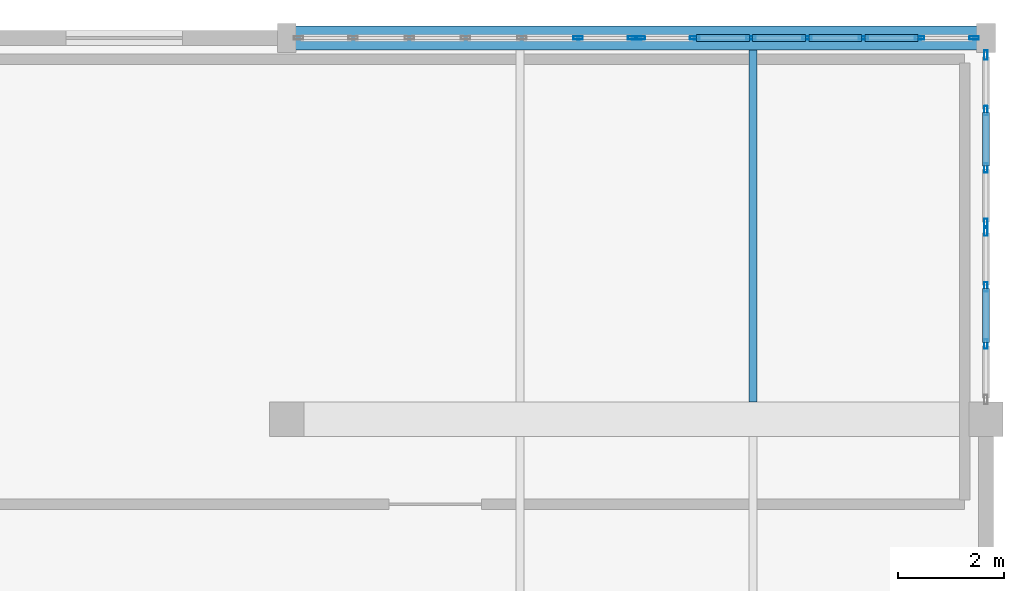
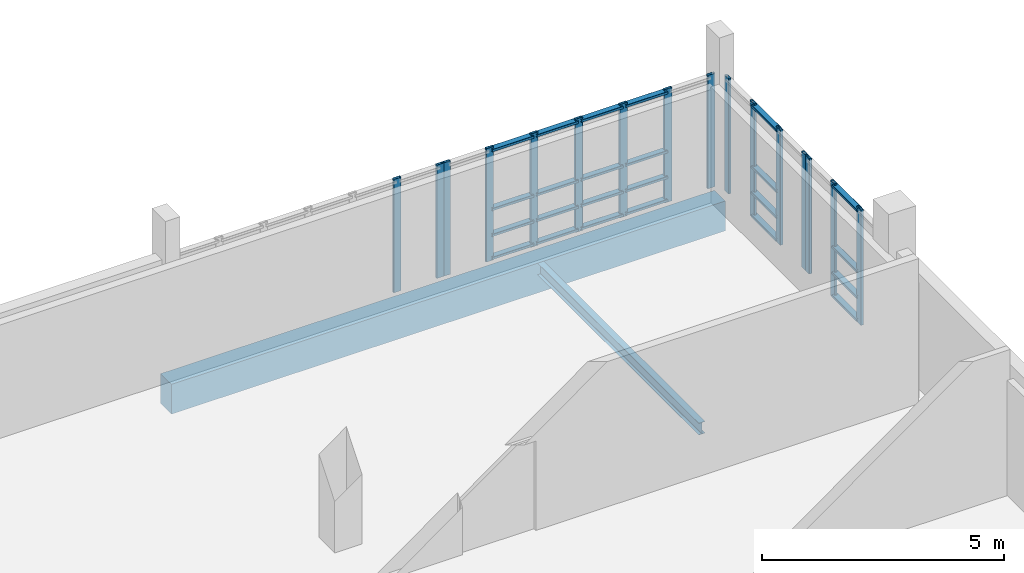
# One storey, part 13 of 25: 40 members, 2 beams, 4 elements without a shape of their own.
"""IFC4 building model written with IfcOpenShell, lengths in metres."""

import ifcopenshell
import ifcopenshell.guid

model = None  # the IFC model being written
_history = None  # IfcOwnerHistory: only IFC2X3 demands one
_inside = {}  # id of a spatial element -> (the spatial element, [elements in it])
_under = {}  # id of a project, library or spatial element -> (it, [spatial elements below it])
_declared = {}  # id of a project -> (the project, [libraries it declares])
_typed = {}  # id of a type object -> (the type object, [elements of that type])
_made_of = {}  # id of a material, layer set ... -> (it, [elements and type objects made of it])


def new_model(schema):
    """Start an empty IFC model of exactly this schema.

    Asked for "IFC4X3", IfcOpenShell would pick the latest addendum, in which some entities
    have other attributes; the version numbers below select the first issue.
    IFC2X3 requires an IfcOwnerHistory on every rooted entity: one is made here for all.
    """
    global model, _history
    if schema == "IFC4X3":
        model = ifcopenshell.file(schema_version=(4, 3, 0, 0))
    else:
        model = ifcopenshell.file(schema=schema)
    _inside.clear()
    _under.clear()
    _declared.clear()
    _typed.clear()
    _made_of.clear()
    _history = None
    if model.schema == "IFC2X3":
        org = make("IfcOrganization", Name="unknown")
        user = make(
            "IfcPersonAndOrganization",
            ThePerson=make("IfcPerson", FamilyName="unknown"),
            TheOrganization=org,
        )
        app = make(
            "IfcApplication",
            ApplicationDeveloper=org,
            Version="unknown",
            ApplicationFullName="unknown",
            ApplicationIdentifier="unknown",
        )
        _history = make(
            "IfcOwnerHistory",
            OwningUser=user,
            OwningApplication=app,
            ChangeAction="ADDED",
            CreationDate=0,
        )
    return model


def make(cls, **values):
    """One entity of the class cls with the attributes given. An attribute that is None is left unset."""
    return model.create_entity(
        cls, **{name: value for name, value in values.items() if value is not None}
    )


def rooted(cls, **values):
    """An entity with a GlobalId (a new one), such as an element, a storey or a relation."""
    return make(cls, GlobalId=ifcopenshell.guid.new(), OwnerHistory=_history, **values)


def si_unit(unit_type, name, prefix=None):
    """IfcSIUnit, for example si_unit("LENGTHUNIT", "METRE", prefix="MILLI")."""
    return make("IfcSIUnit", UnitType=unit_type, Prefix=prefix, Name=name)


def assignment(units):
    """IfcUnitAssignment: the units of a project."""
    return None if units is None else make("IfcUnitAssignment", Units=units)


def point(xyz):
    """IfcCartesianPoint."""
    return None if xyz is None else make("IfcCartesianPoint", Coordinates=xyz)


def direction(xyz):
    """IfcDirection."""
    return None if xyz is None else make("IfcDirection", DirectionRatios=xyz)


def frame(location, z_axis=None, x_axis=None):
    """IfcAxis2Placement3D, a coordinate frame: its origin and axes. An axis left out is left unset."""
    return make(
        "IfcAxis2Placement3D",
        Location=point(location),
        Axis=direction(z_axis),
        RefDirection=direction(x_axis),
    )


def frame_2d(location, x_axis=None):
    """IfcAxis2Placement2D, a coordinate frame in the plane: its origin and x axis."""
    return make(
        "IfcAxis2Placement2D", Location=point(location), RefDirection=direction(x_axis)
    )


def origin():
    """The frame at (0, 0, 0) with its axes left unset."""
    return frame((0.0, 0.0, 0.0))


def origin_2d():
    """The frame at (0, 0) in the plane with its x axis left unset."""
    return frame_2d((0.0, 0.0))


def place(relative_to, where):
    """IfcLocalPlacement: puts the frame where relative to a parent placement (None: the world)."""
    return make(
        "IfcLocalPlacement", PlacementRelTo=relative_to, RelativePlacement=where
    )


def context(
    kind, dimensions, precision=None, world=None, true_north=None, identifier=None
):
    """IfcGeometricRepresentationContext, for example the 3D "Model" context."""
    return make(
        "IfcGeometricRepresentationContext",
        ContextIdentifier=identifier,
        ContextType=kind,
        CoordinateSpaceDimension=dimensions,
        Precision=precision,
        WorldCoordinateSystem=world,
        TrueNorth=true_north,
    )


def subcontext(parent, identifier, kind, view, scale=None):
    """IfcGeometricRepresentationSubContext, for example "Body" below "Model"."""
    return make(
        "IfcGeometricRepresentationSubContext",
        ContextIdentifier=identifier,
        ContextType=kind,
        ParentContext=parent,
        TargetScale=scale,
        TargetView=view,
    )


def project(units=None, contexts=None):
    """IfcProject with its units and contexts."""
    return rooted(
        "IfcProject",
        Name="project",
        RepresentationContexts=contexts,
        UnitsInContext=assignment(units),
    )


def spatial(cls, under=None, at=None, **own):
    """A site, building, storey or space (cls), placed at a placement, below another one or the project."""
    s = rooted(cls, ObjectPlacement=at, **own)
    if under is not None:
        _under.setdefault(under.id(), (under, []))[1].append(s)
    return s


def profile(cls, at=None, kind="AREA", **sizes):
    """A parametric profile (cls). Its sizes go by their IFC names, for example OverallWidth=200.0."""
    return make(cls, ProfileType=kind, Position=at, **sizes)


def rectangle(**sizes):
    """IfcRectangleProfileDef."""
    return profile("IfcRectangleProfileDef", **sizes)


def hollow_rectangle(**sizes):
    """IfcRectangleHollowProfileDef."""
    return profile("IfcRectangleHollowProfileDef", **sizes)


def i_section(**sizes):
    """IfcIShapeProfileDef."""
    return profile("IfcIShapeProfileDef", **sizes)


def extrude(swept, where, along, depth):
    """IfcExtrudedAreaSolid: the profile swept, set in the frame where, extruded along a direction by depth."""
    return make(
        "IfcExtrudedAreaSolid",
        SweptArea=swept,
        Position=where,
        ExtrudedDirection=direction(along),
        Depth=depth,
    )


def shape(context_of_items, identifier, shape_type, items):
    """IfcShapeRepresentation: the items that make up one representation, for example the "Body"."""
    return make(
        "IfcShapeRepresentation",
        ContextOfItems=context_of_items,
        RepresentationIdentifier=identifier,
        RepresentationType=shape_type,
        Items=items,
    )


def material(Name=None, Category=None):
    """IfcMaterial."""
    return make("IfcMaterial", Name=Name, Category=Category)


def layer(
    of_material, thickness, ventilated=None, Name=None, Category=None, Priority=None
):
    """IfcMaterialLayer: one layer of a wall or slab, of a material (None: an air gap)."""
    return make(
        "IfcMaterialLayer",
        Material=of_material,
        LayerThickness=thickness,
        IsVentilated=ventilated,
        Name=Name,
        Category=Category,
        Priority=Priority,
    )


def layer_set(layers, Name=None):
    """IfcMaterialLayerSet."""
    return make("IfcMaterialLayerSet", MaterialLayers=layers, LayerSetName=Name)


def material_profile(
    of_material, cross_section, Name=None, Category=None, Priority=None
):
    """IfcMaterialProfile: a cross section and its material."""
    return make(
        "IfcMaterialProfile",
        Name=Name,
        Material=of_material,
        Profile=cross_section,
        Priority=Priority,
        Category=Category,
    )


def profile_set(profiles, Name=None, composite=None):
    """IfcMaterialProfileSet."""
    return make(
        "IfcMaterialProfileSet",
        Name=Name,
        MaterialProfiles=profiles,
        CompositeProfile=composite,
    )


def made_of(thing, what):
    """Note that an element or type object is made of a material, layer set ...; save() writes the relation."""
    if what is not None:
        _made_of.setdefault(what.id(), (what, []))[1].append(thing)
    return thing


def type_object(cls, material=None, **own):
    """A type object (cls), such as IfcWallType, which elements share."""
    return made_of(rooted(cls, **own), material)


def element(
    cls,
    number,
    at=None,
    inside=None,
    cuts=None,
    type_object=None,
    material=None,
    context=None,
    identifier="Body",
    shape_type=None,
    held_by="IfcProductDefinitionShape",
    body=None,
    shapes=None,
    **own,
):
    """One element of the class cls, such as IfcWall. Its Tag is "e" and its number.

    at: its placement. inside: the storey or other place that contains it. cuts: it is an
    opening in that element (IfcRelVoidsElement). A single representation is given by context,
    identifier, shape_type and body (its items); several are given by shapes. held_by: the class
    of the entity that holds the representations. save() writes the other relations.
    """
    e = rooted(cls, Tag="e%d" % number, ObjectPlacement=at, **own)
    if body is not None:
        shapes = [shape(context, identifier, shape_type, body)]
    if shapes is not None:
        e.Representation = make(held_by, Representations=shapes)
    if inside is not None:
        _inside.setdefault(inside.id(), (inside, []))[1].append(e)
    if cuts is not None:
        rooted(
            "IfcRelVoidsElement", RelatingBuildingElement=cuts, RelatedOpeningElement=e
        )
    if type_object is not None:
        _typed.setdefault(type_object.id(), (type_object, []))[1].append(e)
    return made_of(e, material)


def aggregate(whole, parts):
    """IfcRelAggregates: a whole, such as a stair, and the parts it consists of."""
    return rooted("IfcRelAggregates", RelatingObject=whole, RelatedObjects=parts)


def save(model, path):
    """Write the relations noted so far, then the file.

    IfcRelAggregates (storeys below a building ...), IfcRelContainedInSpatialStructure (elements
    in a storey), IfcRelDefinesByType, IfcRelAssociatesMaterial and IfcRelDeclares: one each for
    every whole, place, type object, material and project.
    """
    for whole, parts in _under.values():
        aggregate(whole, parts)
    for where, things in _inside.values():
        rooted(
            "IfcRelContainedInSpatialStructure",
            RelatedElements=things,
            RelatingStructure=where,
        )
    for kind, things in _typed.values():
        rooted("IfcRelDefinesByType", RelatedObjects=things, RelatingType=kind)
    for what, things in _made_of.values():
        rooted("IfcRelAssociatesMaterial", RelatedObjects=things, RelatingMaterial=what)
    for by, libraries in _declared.values():
        rooted("IfcRelDeclares", RelatingContext=by, RelatedDefinitions=libraries)
    model.write(path)


model = new_model("IFC4")

# Units and contexts
model_context = context("Model", 3, precision=1e-05, world=origin(), true_north=direction((0.0, 1.0)))
body_context = subcontext(model_context, "Body", "Model", "MODEL_VIEW")
ifc_project = project(units=[si_unit("LENGTHUNIT", "METRE"), si_unit("AREAUNIT", "SQUARE_METRE"), si_unit("VOLUMEUNIT", "CUBIC_METRE"), si_unit("PLANEANGLEUNIT", "RADIAN"), si_unit("MASSUNIT", "GRAM", prefix="KILO")], contexts=[model_context])

# Site, building, storey
site_placement = place(None, origin())
site = spatial("IfcSite", under=ifc_project, at=site_placement, CompositionType="ELEMENT")
building_placement = place(site_placement, origin())
building = spatial("IfcBuilding", under=site, at=building_placement, Name="Kisaragi Civic Commons", CompositionType="ELEMENT")
storey_placement = place(building_placement, frame((0.0, 0.0, 13.5)))
storey = spatial("IfcBuildingStorey", under=building, at=storey_placement, Name="L03", CompositionType="ELEMENT", Elevation=13.5)

# Curtain wall, members
ifc_material_1 = material(Name="Thermally broken anodized aluminium and low-E double glazing", Category="aluminium")
ifc_layer = layer(ifc_material_1, 0.179931640625, Name="Thermally broken anodized aluminium and low-E double glazing", Category="aluminium")
ifc_layer_set = layer_set([ifc_layer], Name="Thermally broken anodized aluminium and low-E double glazing")
curtain_wall_type = type_object("IfcCurtainWallType", Name="CW-01", PredefinedType="NOTDEFINED", material=ifc_layer_set)
curtain_wall_1_placement = place(storey_placement, origin())
curtain_wall_1 = element("IfcCurtainWall", 1, at=curtain_wall_1_placement, inside=storey, type_object=curtain_wall_type, Name="L03 curtain wall CW-01 CW-V4-L03-101", PredefinedType="NOTDEFINED")
ifc_material_profile_1 = material_profile(ifc_material_1, hollow_rectangle(XDim=0.06494140625, YDim=0.179931640625, WallThickness=0.00439453125, InnerFilletRadius=0.00439453125, OuterFilletRadius=0.009033203125, at=origin_2d()), Name="CWM-65x180x4.5", Category="aluminium")
ifc_profile_set_1 = profile_set([ifc_material_profile_1], Name="Thermally broken anodized aluminium and low-E double glazing")
member_type_1 = type_object("IfcMemberType", Name="CWM-02", PredefinedType="MULLION", material=ifc_profile_set_1)
member_1_placement = place(storey_placement, frame((138.6982421875, 118.800048828125, 0.0), z_axis=(0.0, 0.0, 1.0), x_axis=(0.0, 1.0, 0.0)))
member_1 = element("IfcMember", 2, at=member_1_placement, type_object=member_type_1, Name="CW-01 mullion 6", PredefinedType="MULLION", context=body_context, shape_type="SweptSolid", body=[
    extrude(hollow_rectangle(XDim=0.06494140625, YDim=0.179931640625, WallThickness=0.00439453125, InnerFilletRadius=0.00439453125, OuterFilletRadius=0.009033203125, at=origin_2d()), origin(), (0.0, 0.0, 1.0), 2.85498046875),
])
member_2_placement = place(storey_placement, frame((139.7275390625, 118.800048828125, 0.0), z_axis=(0.0, 0.0, 1.0), x_axis=(0.0, 1.0, 0.0)))
member_2 = element("IfcMember", 3, at=member_2_placement, type_object=member_type_1, Name="CW-01 mullion 7", PredefinedType="MULLION", context=body_context, shape_type="SweptSolid", body=[
    extrude(hollow_rectangle(XDim=0.06494140625, YDim=0.179931640625, WallThickness=0.00439453125, InnerFilletRadius=0.00439453125, OuterFilletRadius=0.009033203125, at=origin_2d()), origin(), (0.0, 0.0, 1.0), 2.85498046875),
])
aggregate(curtain_wall_1, [member_1, member_2])

curtain_wall_2_placement = place(storey_placement, origin())
curtain_wall_2 = element("IfcCurtainWall", 4, at=curtain_wall_2_placement, inside=storey, type_object=curtain_wall_type, Name="L03 curtain wall CW-01 CW-V4-L03-102", PredefinedType="NOTDEFINED")
member_3_placement = place(storey_placement, frame((139.87255859375, 118.800048828125, 0.0), z_axis=(0.0, 0.0, 1.0), x_axis=(0.0, 1.0, 0.0)))
member_3 = element("IfcMember", 5, at=member_3_placement, type_object=member_type_1, Name="CW-01 mullion 1", PredefinedType="MULLION", context=body_context, shape_type="SweptSolid", body=[
    extrude(hollow_rectangle(XDim=0.06494140625, YDim=0.179931640625, WallThickness=0.00439453125, InnerFilletRadius=0.00439453125, OuterFilletRadius=0.009033203125, at=origin_2d()), origin(), (0.0, 0.0, 1.0), 2.85498046875),
])
member_4_placement = place(storey_placement, frame((140.901611328125, 118.800048828125, 0.0), z_axis=(0.0, 0.0, 1.0), x_axis=(0.0, 1.0, 0.0)))
member_4 = element("IfcMember", 6, at=member_4_placement, type_object=member_type_1, Name="CW-01 mullion 2", PredefinedType="MULLION", context=body_context, shape_type="SweptSolid", body=[
    extrude(hollow_rectangle(XDim=0.06494140625, YDim=0.179931640625, WallThickness=0.00439453125, InnerFilletRadius=0.00439453125, OuterFilletRadius=0.009033203125, at=origin_2d()), origin(), (0.0, 0.0, 1.0), 2.85498046875),
])
member_5_placement = place(storey_placement, frame((141.96337890625, 118.800048828125, 0.0), z_axis=(0.0, 0.0, 1.0), x_axis=(0.0, 1.0, 0.0)))
member_5 = element("IfcMember", 7, at=member_5_placement, type_object=member_type_1, Name="CW-01 mullion 3", PredefinedType="MULLION", context=body_context, shape_type="SweptSolid", body=[
    extrude(hollow_rectangle(XDim=0.06494140625, YDim=0.179931640625, WallThickness=0.00439453125, InnerFilletRadius=0.00439453125, OuterFilletRadius=0.009033203125, at=origin_2d()), origin(), (0.0, 0.0, 1.0), 2.85498046875),
])
member_6_placement = place(storey_placement, frame((143.02490234375, 118.800048828125, 0.0), z_axis=(0.0, 0.0, 1.0), x_axis=(0.0, 1.0, 0.0)))
member_6 = element("IfcMember", 8, at=member_6_placement, type_object=member_type_1, Name="CW-01 mullion 4", PredefinedType="MULLION", context=body_context, shape_type="SweptSolid", body=[
    extrude(hollow_rectangle(XDim=0.06494140625, YDim=0.179931640625, WallThickness=0.00439453125, InnerFilletRadius=0.00439453125, OuterFilletRadius=0.009033203125, at=origin_2d()), origin(), (0.0, 0.0, 1.0), 2.85498046875),
])
member_7_placement = place(storey_placement, frame((144.086669921875, 118.800048828125, 0.0), z_axis=(0.0, 0.0, 1.0), x_axis=(0.0, 1.0, 0.0)))
member_7 = element("IfcMember", 9, at=member_7_placement, type_object=member_type_1, Name="CW-01 mullion 5", PredefinedType="MULLION", context=body_context, shape_type="SweptSolid", body=[
    extrude(hollow_rectangle(XDim=0.06494140625, YDim=0.179931640625, WallThickness=0.00439453125, InnerFilletRadius=0.00439453125, OuterFilletRadius=0.009033203125, at=origin_2d()), origin(), (0.0, 0.0, 1.0), 2.85498046875),
])
member_8_placement = place(storey_placement, frame((145.1484375, 118.800048828125, 0.0), z_axis=(0.0, 0.0, 1.0), x_axis=(0.0, 1.0, 0.0)))
member_8 = element("IfcMember", 10, at=member_8_placement, type_object=member_type_1, Name="CW-01 mullion 6", PredefinedType="MULLION", context=body_context, shape_type="SweptSolid", body=[
    extrude(hollow_rectangle(XDim=0.06494140625, YDim=0.179931640625, WallThickness=0.00439453125, InnerFilletRadius=0.00439453125, OuterFilletRadius=0.009033203125, at=origin_2d()), origin(), (0.0, 0.0, 1.0), 2.85498046875),
])
member_9_placement = place(storey_placement, frame((146.177490234375, 118.800048828125, 0.0), z_axis=(0.0, 0.0, 1.0), x_axis=(0.0, 1.0, 0.0)))
member_9 = element("IfcMember", 11, at=member_9_placement, type_object=member_type_1, Name="CW-01 mullion 7", PredefinedType="MULLION", context=body_context, shape_type="SweptSolid", body=[
    extrude(hollow_rectangle(XDim=0.06494140625, YDim=0.179931640625, WallThickness=0.00439453125, InnerFilletRadius=0.00439453125, OuterFilletRadius=0.009033203125, at=origin_2d()), origin(), (0.0, 0.0, 1.0), 2.85498046875),
])

curtain_wall_3_placement = place(storey_placement, origin())
curtain_wall_3 = element("IfcCurtainWall", 12, at=curtain_wall_3_placement, inside=storey, type_object=curtain_wall_type, Name="L03 curtain wall CW-01 CW-V4-L03-103", PredefinedType="NOTDEFINED")
member_10_placement = place(storey_placement, frame((146.39990234375, 118.4775390625, 0.0), z_axis=(0.0, 0.0, 1.0), x_axis=(1.0, 0.0, 0.0)))
member_10 = element("IfcMember", 13, at=member_10_placement, type_object=member_type_1, Name="CW-01 mullion 1", PredefinedType="MULLION", context=body_context, shape_type="SweptSolid", body=[
    extrude(hollow_rectangle(XDim=0.06494140625, YDim=0.179931640625, WallThickness=0.00439453125, InnerFilletRadius=0.00439453125, OuterFilletRadius=0.009033203125, at=origin_2d()), origin(), (0.0, 0.0, 1.0), 2.905029296875),
])
member_11_placement = place(storey_placement, frame((146.39990234375, 117.42822265625, 0.0), z_axis=(0.0, 0.0, 1.0), x_axis=(1.0, 0.0, 0.0)))
member_11 = element("IfcMember", 14, at=member_11_placement, type_object=member_type_1, Name="CW-01 mullion 2", PredefinedType="MULLION", context=body_context, shape_type="SweptSolid", body=[
    extrude(hollow_rectangle(XDim=0.06494140625, YDim=0.179931640625, WallThickness=0.00439453125, InnerFilletRadius=0.00439453125, OuterFilletRadius=0.009033203125, at=origin_2d()), origin(), (0.0, 0.0, 1.0), 2.905029296875),
])
member_12_placement = place(storey_placement, frame((146.39990234375, 116.3466796875, 0.0), z_axis=(0.0, 0.0, 1.0), x_axis=(1.0, 0.0, 0.0)))
member_12 = element("IfcMember", 15, at=member_12_placement, type_object=member_type_1, Name="CW-01 mullion 3", PredefinedType="MULLION", context=body_context, shape_type="SweptSolid", body=[
    extrude(hollow_rectangle(XDim=0.06494140625, YDim=0.179931640625, WallThickness=0.00439453125, InnerFilletRadius=0.00439453125, OuterFilletRadius=0.009033203125, at=origin_2d()), origin(), (0.0, 0.0, 1.0), 2.905029296875),
])
member_13_placement = place(storey_placement, frame((146.39990234375, 115.297607421875, 0.0), z_axis=(0.0, 0.0, 1.0), x_axis=(1.0, 0.0, 0.0)))
member_13 = element("IfcMember", 16, at=member_13_placement, type_object=member_type_1, Name="CW-01 mullion 4", PredefinedType="MULLION", context=body_context, shape_type="SweptSolid", body=[
    extrude(hollow_rectangle(XDim=0.06494140625, YDim=0.179931640625, WallThickness=0.00439453125, InnerFilletRadius=0.00439453125, OuterFilletRadius=0.009033203125, at=origin_2d()), origin(), (0.0, 0.0, 1.0), 2.905029296875),
])

curtain_wall_4_placement = place(storey_placement, origin())
curtain_wall_4 = element("IfcCurtainWall", 17, at=curtain_wall_4_placement, inside=storey, type_object=curtain_wall_type, Name="L03 curtain wall CW-01 CW-V4-L03-104", PredefinedType="NOTDEFINED")
member_14_placement = place(storey_placement, frame((146.39990234375, 115.152587890625, 0.0), z_axis=(0.0, 0.0, 1.0), x_axis=(1.0, 0.0, 0.0)))
member_14 = element("IfcMember", 18, at=member_14_placement, type_object=member_type_1, Name="CW-01 mullion 1", PredefinedType="MULLION", context=body_context, shape_type="SweptSolid", body=[
    extrude(hollow_rectangle(XDim=0.06494140625, YDim=0.179931640625, WallThickness=0.00439453125, InnerFilletRadius=0.00439453125, OuterFilletRadius=0.009033203125, at=origin_2d()), origin(), (0.0, 0.0, 1.0), 2.905029296875),
])
member_15_placement = place(storey_placement, frame((146.39990234375, 114.103271484375, 0.0), z_axis=(0.0, 0.0, 1.0), x_axis=(1.0, 0.0, 0.0)))
member_15 = element("IfcMember", 19, at=member_15_placement, type_object=member_type_1, Name="CW-01 mullion 2", PredefinedType="MULLION", context=body_context, shape_type="SweptSolid", body=[
    extrude(hollow_rectangle(XDim=0.06494140625, YDim=0.179931640625, WallThickness=0.00439453125, InnerFilletRadius=0.00439453125, OuterFilletRadius=0.009033203125, at=origin_2d()), origin(), (0.0, 0.0, 1.0), 2.905029296875),
])
member_16_placement = place(storey_placement, frame((146.39990234375, 113.021728515625, 0.0), z_axis=(0.0, 0.0, 1.0), x_axis=(1.0, 0.0, 0.0)))
member_16 = element("IfcMember", 20, at=member_16_placement, type_object=member_type_1, Name="CW-01 mullion 3", PredefinedType="MULLION", context=body_context, shape_type="SweptSolid", body=[
    extrude(hollow_rectangle(XDim=0.06494140625, YDim=0.179931640625, WallThickness=0.00439453125, InnerFilletRadius=0.00439453125, OuterFilletRadius=0.009033203125, at=origin_2d()), origin(), (0.0, 0.0, 1.0), 2.905029296875),
])

# Member
ifc_material_profile_2 = material_profile(ifc_material_1, hollow_rectangle(XDim=0.139892578125, YDim=0.06494140625, WallThickness=0.00439453125, InnerFilletRadius=0.00439453125, OuterFilletRadius=0.009033203125, at=origin_2d()), Name="CWT-65x140x4.5", Category="aluminium")
ifc_profile_set_2 = profile_set([ifc_material_profile_2], Name="Thermally broken anodized aluminium and low-E double glazing")
member_type_2 = type_object("IfcMemberType", Name="CWT-02", PredefinedType="USERDEFINED", material=ifc_profile_set_2)
member_17_placement = place(storey_placement, frame((140.93408203125, 118.800048828125, 0.070068359375), z_axis=(1.0, 0.0, 0.0), x_axis=(0.0, 1.0, 0.0)))
member_17 = element("IfcMember", 21, at=member_17_placement, type_object=member_type_2, Name="CW-01 transom 2.1", ObjectType="TRANSOM", PredefinedType="USERDEFINED", context=body_context, shape_type="SweptSolid", body=[
    extrude(hollow_rectangle(XDim=0.139892578125, YDim=0.06494140625, WallThickness=0.00439453125, InnerFilletRadius=0.00439453125, OuterFilletRadius=0.009033203125, at=origin_2d()), origin(), (0.0, 0.0, 1.0), 0.996826171875),
])

member_18_placement = place(storey_placement, frame((140.93408203125, 118.800048828125, 0.64990234375), z_axis=(1.0, 0.0, 0.0), x_axis=(0.0, 1.0, 0.0)))
member_18 = element("IfcMember", 22, at=member_18_placement, type_object=member_type_2, Name="CW-01 transom 2.2", ObjectType="TRANSOM", PredefinedType="USERDEFINED", context=body_context, shape_type="SweptSolid", body=[
    extrude(hollow_rectangle(XDim=0.139892578125, YDim=0.06494140625, WallThickness=0.00439453125, InnerFilletRadius=0.00439453125, OuterFilletRadius=0.009033203125, at=origin_2d()), origin(), (0.0, 0.0, 1.0), 0.996826171875),
])

member_19_placement = place(storey_placement, frame((140.93408203125, 118.800048828125, 1.300048828125), z_axis=(1.0, 0.0, 0.0), x_axis=(0.0, 1.0, 0.0)))
member_19 = element("IfcMember", 23, at=member_19_placement, type_object=member_type_2, Name="CW-01 transom 2.3", ObjectType="TRANSOM", PredefinedType="USERDEFINED", context=body_context, shape_type="SweptSolid", body=[
    extrude(hollow_rectangle(XDim=0.139892578125, YDim=0.06494140625, WallThickness=0.00439453125, InnerFilletRadius=0.00439453125, OuterFilletRadius=0.009033203125, at=origin_2d()), origin(), (0.0, 0.0, 1.0), 0.996826171875),
])

member_20_placement = place(storey_placement, frame((140.93408203125, 118.800048828125, 2.784912109375), z_axis=(1.0, 0.0, 0.0), x_axis=(0.0, 1.0, 0.0)))
member_20 = element("IfcMember", 24, at=member_20_placement, type_object=member_type_2, Name="CW-01 transom 2.4", ObjectType="TRANSOM", PredefinedType="USERDEFINED", context=body_context, shape_type="SweptSolid", body=[
    extrude(hollow_rectangle(XDim=0.139892578125, YDim=0.06494140625, WallThickness=0.00439453125, InnerFilletRadius=0.00439453125, OuterFilletRadius=0.009033203125, at=origin_2d()), origin(), (0.0, 0.0, 1.0), 0.996826171875),
])

member_21_placement = place(storey_placement, frame((141.995849609375, 118.800048828125, 0.070068359375), z_axis=(1.0, 0.0, 0.0), x_axis=(0.0, 1.0, 0.0)))
member_21 = element("IfcMember", 25, at=member_21_placement, type_object=member_type_2, Name="CW-01 transom 3.1", ObjectType="TRANSOM", PredefinedType="USERDEFINED", context=body_context, shape_type="SweptSolid", body=[
    extrude(hollow_rectangle(XDim=0.139892578125, YDim=0.06494140625, WallThickness=0.00439453125, InnerFilletRadius=0.00439453125, OuterFilletRadius=0.009033203125, at=origin_2d()), origin(), (0.0, 0.0, 1.0), 0.99658203125),
])

member_22_placement = place(storey_placement, frame((141.995849609375, 118.800048828125, 0.64990234375), z_axis=(1.0, 0.0, 0.0), x_axis=(0.0, 1.0, 0.0)))
member_22 = element("IfcMember", 26, at=member_22_placement, type_object=member_type_2, Name="CW-01 transom 3.2", ObjectType="TRANSOM", PredefinedType="USERDEFINED", context=body_context, shape_type="SweptSolid", body=[
    extrude(hollow_rectangle(XDim=0.139892578125, YDim=0.06494140625, WallThickness=0.00439453125, InnerFilletRadius=0.00439453125, OuterFilletRadius=0.009033203125, at=origin_2d()), origin(), (0.0, 0.0, 1.0), 0.99658203125),
])

member_23_placement = place(storey_placement, frame((141.995849609375, 118.800048828125, 1.300048828125), z_axis=(1.0, 0.0, 0.0), x_axis=(0.0, 1.0, 0.0)))
member_23 = element("IfcMember", 27, at=member_23_placement, type_object=member_type_2, Name="CW-01 transom 3.3", ObjectType="TRANSOM", PredefinedType="USERDEFINED", context=body_context, shape_type="SweptSolid", body=[
    extrude(hollow_rectangle(XDim=0.139892578125, YDim=0.06494140625, WallThickness=0.00439453125, InnerFilletRadius=0.00439453125, OuterFilletRadius=0.009033203125, at=origin_2d()), origin(), (0.0, 0.0, 1.0), 0.99658203125),
])

member_24_placement = place(storey_placement, frame((141.995849609375, 118.800048828125, 2.784912109375), z_axis=(1.0, 0.0, 0.0), x_axis=(0.0, 1.0, 0.0)))
member_24 = element("IfcMember", 28, at=member_24_placement, type_object=member_type_2, Name="CW-01 transom 3.4", ObjectType="TRANSOM", PredefinedType="USERDEFINED", context=body_context, shape_type="SweptSolid", body=[
    extrude(hollow_rectangle(XDim=0.139892578125, YDim=0.06494140625, WallThickness=0.00439453125, InnerFilletRadius=0.00439453125, OuterFilletRadius=0.009033203125, at=origin_2d()), origin(), (0.0, 0.0, 1.0), 0.99658203125),
])

member_25_placement = place(storey_placement, frame((143.0576171875, 118.800048828125, 0.070068359375), z_axis=(1.0, 0.0, 0.0), x_axis=(0.0, 1.0, 0.0)))
member_25 = element("IfcMember", 29, at=member_25_placement, type_object=member_type_2, Name="CW-01 transom 4.1", ObjectType="TRANSOM", PredefinedType="USERDEFINED", context=body_context, shape_type="SweptSolid", body=[
    extrude(hollow_rectangle(XDim=0.139892578125, YDim=0.06494140625, WallThickness=0.00439453125, InnerFilletRadius=0.00439453125, OuterFilletRadius=0.009033203125, at=origin_2d()), origin(), (0.0, 0.0, 1.0), 0.99658203125),
])

member_26_placement = place(storey_placement, frame((143.0576171875, 118.800048828125, 0.64990234375), z_axis=(1.0, 0.0, 0.0), x_axis=(0.0, 1.0, 0.0)))
member_26 = element("IfcMember", 30, at=member_26_placement, type_object=member_type_2, Name="CW-01 transom 4.2", ObjectType="TRANSOM", PredefinedType="USERDEFINED", context=body_context, shape_type="SweptSolid", body=[
    extrude(hollow_rectangle(XDim=0.139892578125, YDim=0.06494140625, WallThickness=0.00439453125, InnerFilletRadius=0.00439453125, OuterFilletRadius=0.009033203125, at=origin_2d()), origin(), (0.0, 0.0, 1.0), 0.99658203125),
])

member_27_placement = place(storey_placement, frame((143.0576171875, 118.800048828125, 1.300048828125), z_axis=(1.0, 0.0, 0.0), x_axis=(0.0, 1.0, 0.0)))
member_27 = element("IfcMember", 31, at=member_27_placement, type_object=member_type_2, Name="CW-01 transom 4.3", ObjectType="TRANSOM", PredefinedType="USERDEFINED", context=body_context, shape_type="SweptSolid", body=[
    extrude(hollow_rectangle(XDim=0.139892578125, YDim=0.06494140625, WallThickness=0.00439453125, InnerFilletRadius=0.00439453125, OuterFilletRadius=0.009033203125, at=origin_2d()), origin(), (0.0, 0.0, 1.0), 0.99658203125),
])

member_28_placement = place(storey_placement, frame((143.0576171875, 118.800048828125, 2.784912109375), z_axis=(1.0, 0.0, 0.0), x_axis=(0.0, 1.0, 0.0)))
member_28 = element("IfcMember", 32, at=member_28_placement, type_object=member_type_2, Name="CW-01 transom 4.4", ObjectType="TRANSOM", PredefinedType="USERDEFINED", context=body_context, shape_type="SweptSolid", body=[
    extrude(hollow_rectangle(XDim=0.139892578125, YDim=0.06494140625, WallThickness=0.00439453125, InnerFilletRadius=0.00439453125, OuterFilletRadius=0.009033203125, at=origin_2d()), origin(), (0.0, 0.0, 1.0), 0.99658203125),
])

member_29_placement = place(storey_placement, frame((144.119140625, 118.800048828125, 0.070068359375), z_axis=(1.0, 0.0, 0.0), x_axis=(0.0, 1.0, 0.0)))
member_29 = element("IfcMember", 33, at=member_29_placement, type_object=member_type_2, Name="CW-01 transom 5.1", ObjectType="TRANSOM", PredefinedType="USERDEFINED", context=body_context, shape_type="SweptSolid", body=[
    extrude(hollow_rectangle(XDim=0.139892578125, YDim=0.06494140625, WallThickness=0.00439453125, InnerFilletRadius=0.00439453125, OuterFilletRadius=0.009033203125, at=origin_2d()), origin(), (0.0, 0.0, 1.0), 0.99658203125),
])

member_30_placement = place(storey_placement, frame((144.119140625, 118.800048828125, 0.64990234375), z_axis=(1.0, 0.0, 0.0), x_axis=(0.0, 1.0, 0.0)))
member_30 = element("IfcMember", 34, at=member_30_placement, type_object=member_type_2, Name="CW-01 transom 5.2", ObjectType="TRANSOM", PredefinedType="USERDEFINED", context=body_context, shape_type="SweptSolid", body=[
    extrude(hollow_rectangle(XDim=0.139892578125, YDim=0.06494140625, WallThickness=0.00439453125, InnerFilletRadius=0.00439453125, OuterFilletRadius=0.009033203125, at=origin_2d()), origin(), (0.0, 0.0, 1.0), 0.99658203125),
])

member_31_placement = place(storey_placement, frame((144.119140625, 118.800048828125, 1.300048828125), z_axis=(1.0, 0.0, 0.0), x_axis=(0.0, 1.0, 0.0)))
member_31 = element("IfcMember", 35, at=member_31_placement, type_object=member_type_2, Name="CW-01 transom 5.3", ObjectType="TRANSOM", PredefinedType="USERDEFINED", context=body_context, shape_type="SweptSolid", body=[
    extrude(hollow_rectangle(XDim=0.139892578125, YDim=0.06494140625, WallThickness=0.00439453125, InnerFilletRadius=0.00439453125, OuterFilletRadius=0.009033203125, at=origin_2d()), origin(), (0.0, 0.0, 1.0), 0.99658203125),
])

member_32_placement = place(storey_placement, frame((144.119140625, 118.800048828125, 2.784912109375), z_axis=(1.0, 0.0, 0.0), x_axis=(0.0, 1.0, 0.0)))
member_32 = element("IfcMember", 36, at=member_32_placement, type_object=member_type_2, Name="CW-01 transom 5.4", ObjectType="TRANSOM", PredefinedType="USERDEFINED", context=body_context, shape_type="SweptSolid", body=[
    extrude(hollow_rectangle(XDim=0.139892578125, YDim=0.06494140625, WallThickness=0.00439453125, InnerFilletRadius=0.00439453125, OuterFilletRadius=0.009033203125, at=origin_2d()), origin(), (0.0, 0.0, 1.0), 0.99658203125),
])

aggregate(curtain_wall_2, [member_3, member_4, member_5, member_6, member_7, member_8, member_9, member_17, member_18, member_19, member_20, member_21, member_22, member_23, member_24, member_25, member_26, member_27, member_28, member_29, member_30, member_31, member_32])

member_33_placement = place(storey_placement, frame((146.39990234375, 117.395751953125, 0.070068359375), z_axis=(0.0, -1.0, 0.0), x_axis=(1.0, 0.0, 0.0)))
member_33 = element("IfcMember", 37, at=member_33_placement, type_object=member_type_2, Name="CW-01 transom 2.1", ObjectType="TRANSOM", PredefinedType="USERDEFINED", context=body_context, shape_type="SweptSolid", body=[
    extrude(hollow_rectangle(XDim=0.139892578125, YDim=0.06494140625, WallThickness=0.00439453125, InnerFilletRadius=0.00439453125, OuterFilletRadius=0.009033203125, at=origin_2d()), origin(), (0.0, 0.0, 1.0), 1.0166015625),
])

member_34_placement = place(storey_placement, frame((146.39990234375, 117.395751953125, 0.64990234375), z_axis=(0.0, -1.0, 0.0), x_axis=(1.0, 0.0, 0.0)))
member_34 = element("IfcMember", 38, at=member_34_placement, type_object=member_type_2, Name="CW-01 transom 2.2", ObjectType="TRANSOM", PredefinedType="USERDEFINED", context=body_context, shape_type="SweptSolid", body=[
    extrude(hollow_rectangle(XDim=0.139892578125, YDim=0.06494140625, WallThickness=0.00439453125, InnerFilletRadius=0.00439453125, OuterFilletRadius=0.009033203125, at=origin_2d()), origin(), (0.0, 0.0, 1.0), 1.0166015625),
])

member_35_placement = place(storey_placement, frame((146.39990234375, 117.395751953125, 1.300048828125), z_axis=(0.0, -1.0, 0.0), x_axis=(1.0, 0.0, 0.0)))
member_35 = element("IfcMember", 39, at=member_35_placement, type_object=member_type_2, Name="CW-01 transom 2.3", ObjectType="TRANSOM", PredefinedType="USERDEFINED", context=body_context, shape_type="SweptSolid", body=[
    extrude(hollow_rectangle(XDim=0.139892578125, YDim=0.06494140625, WallThickness=0.00439453125, InnerFilletRadius=0.00439453125, OuterFilletRadius=0.009033203125, at=origin_2d()), origin(), (0.0, 0.0, 1.0), 1.0166015625),
])

member_36_placement = place(storey_placement, frame((146.39990234375, 117.395751953125, 2.8349609375), z_axis=(0.0, -1.0, 0.0), x_axis=(1.0, 0.0, 0.0)))
member_36 = element("IfcMember", 40, at=member_36_placement, type_object=member_type_2, Name="CW-01 transom 2.4", ObjectType="TRANSOM", PredefinedType="USERDEFINED", context=body_context, shape_type="SweptSolid", body=[
    extrude(hollow_rectangle(XDim=0.139892578125, YDim=0.06494140625, WallThickness=0.00439453125, InnerFilletRadius=0.00439453125, OuterFilletRadius=0.009033203125, at=origin_2d()), origin(), (0.0, 0.0, 1.0), 1.0166015625),
])

aggregate(curtain_wall_3, [member_10, member_11, member_12, member_13, member_33, member_34, member_35, member_36])

member_37_placement = place(storey_placement, frame((146.39990234375, 114.07080078125, 0.070068359375), z_axis=(0.0, -1.0, 0.0), x_axis=(1.0, 0.0, 0.0)))
member_37 = element("IfcMember", 41, at=member_37_placement, type_object=member_type_2, Name="CW-01 transom 2.1", ObjectType="TRANSOM", PredefinedType="USERDEFINED", context=body_context, shape_type="SweptSolid", body=[
    extrude(hollow_rectangle(XDim=0.139892578125, YDim=0.06494140625, WallThickness=0.00439453125, InnerFilletRadius=0.00439453125, OuterFilletRadius=0.009033203125, at=origin_2d()), origin(), (0.0, 0.0, 1.0), 1.0166015625),
])

member_38_placement = place(storey_placement, frame((146.39990234375, 114.07080078125, 0.64990234375), z_axis=(0.0, -1.0, 0.0), x_axis=(1.0, 0.0, 0.0)))
member_38 = element("IfcMember", 42, at=member_38_placement, type_object=member_type_2, Name="CW-01 transom 2.2", ObjectType="TRANSOM", PredefinedType="USERDEFINED", context=body_context, shape_type="SweptSolid", body=[
    extrude(hollow_rectangle(XDim=0.139892578125, YDim=0.06494140625, WallThickness=0.00439453125, InnerFilletRadius=0.00439453125, OuterFilletRadius=0.009033203125, at=origin_2d()), origin(), (0.0, 0.0, 1.0), 1.0166015625),
])

member_39_placement = place(storey_placement, frame((146.39990234375, 114.07080078125, 1.300048828125), z_axis=(0.0, -1.0, 0.0), x_axis=(1.0, 0.0, 0.0)))
member_39 = element("IfcMember", 43, at=member_39_placement, type_object=member_type_2, Name="CW-01 transom 2.3", ObjectType="TRANSOM", PredefinedType="USERDEFINED", context=body_context, shape_type="SweptSolid", body=[
    extrude(hollow_rectangle(XDim=0.139892578125, YDim=0.06494140625, WallThickness=0.00439453125, InnerFilletRadius=0.00439453125, OuterFilletRadius=0.009033203125, at=origin_2d()), origin(), (0.0, 0.0, 1.0), 1.0166015625),
])

member_40_placement = place(storey_placement, frame((146.39990234375, 114.07080078125, 2.8349609375), z_axis=(0.0, -1.0, 0.0), x_axis=(1.0, 0.0, 0.0)))
member_40 = element("IfcMember", 44, at=member_40_placement, type_object=member_type_2, Name="CW-01 transom 2.4", ObjectType="TRANSOM", PredefinedType="USERDEFINED", context=body_context, shape_type="SweptSolid", body=[
    extrude(hollow_rectangle(XDim=0.139892578125, YDim=0.06494140625, WallThickness=0.00439453125, InnerFilletRadius=0.00439453125, OuterFilletRadius=0.009033203125, at=origin_2d()), origin(), (0.0, 0.0, 1.0), 1.0166015625),
])

aggregate(curtain_wall_4, [member_14, member_15, member_16, member_37, member_38, member_39, member_40])

# Beams
ifc_material_2 = material(Name="Steel SN400 (SN400B)", Category="steel")
ifc_material_profile_3 = material_profile(ifc_material_2, i_section(OverallWidth=0.14990234375, OverallDepth=0.300048828125, WebThickness=0.006591796875, FlangeThickness=0.009033203125, FilletRadius=0.012939453125, at=origin_2d()), Name="H-300x150x6.5x9", Category="steel")
ifc_profile_set_3 = profile_set([ifc_material_profile_3], Name="Steel SN400 (SN400B)")
beam_type_1 = type_object("IfcBeamType", Name="J-03", PredefinedType="JOIST", material=ifc_profile_set_3)
beam_1_placement = place(storey_placement, frame((142.0, 111.925048828125, -0.445068359375), z_axis=(0.0, 1.0, 0.0), x_axis=(-1.0, 0.0, 0.0)))
element("IfcBeam", 45, at=beam_1_placement, inside=storey, type_object=beam_type_1, Name="L03 secondary steel joist J-03 79", PredefinedType="JOIST", context=body_context, shape_type="SweptSolid", body=[
    extrude(i_section(OverallWidth=0.14990234375, OverallDepth=0.300048828125, WebThickness=0.006591796875, FlangeThickness=0.009033203125, FilletRadius=0.012939453125, at=origin_2d()), origin(), (0.0, 0.0, 1.0), 6.64990234375),
])
ifc_material_3 = material(Name="Concrete Fc30", Category="concrete")
ifc_material_profile_4 = material_profile(ifc_material_3, rectangle(XDim=0.449951171875, YDim=0.75, at=origin_2d()), Name="RC-450x750", Category="concrete")
ifc_profile_set_4 = profile_set([ifc_material_profile_4], Name="Concrete Fc30")
beam_type_2 = type_object("IfcBeamType", Name="SPB-04", PredefinedType="SPANDREL", material=ifc_profile_set_4)
beam_2_placement = place(storey_placement, frame((133.199951171875, 118.800048828125, -0.669921875), z_axis=(1.0, 0.0, 0.0), x_axis=(0.0, 1.0, 0.0)))
element("IfcBeam", 46, at=beam_2_placement, inside=storey, type_object=beam_type_2, Name="L03 girder SPB-04 335", PredefinedType="SPANDREL", context=body_context, shape_type="SweptSolid", body=[
    extrude(rectangle(XDim=0.449951171875, YDim=0.75, at=origin_2d()), origin(), (0.0, 0.0, 1.0), 13.199951171875),
])

save(model, "model.ifc")
